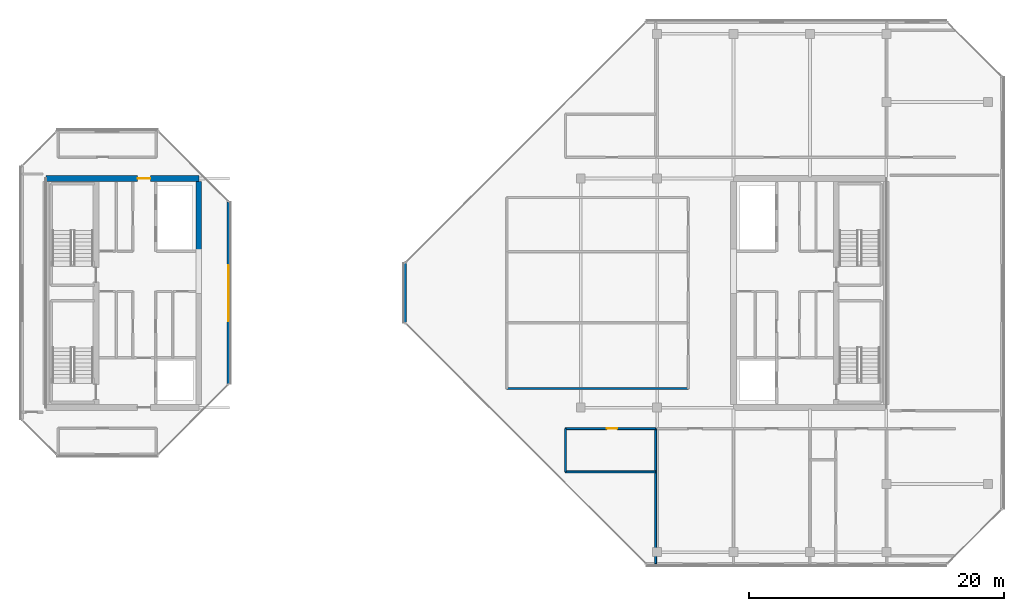
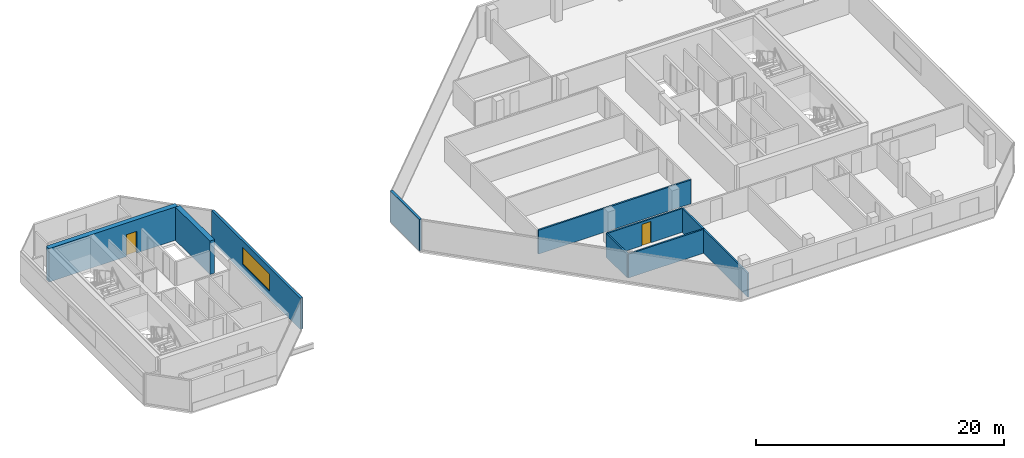
# One storey, part 22 of 29: 9 walls, 2 doors, 1 window, 3 openings.
"""IFC4 building model written with IfcOpenShell, lengths in metres."""

from ifc_helpers import new_model, si_unit, direction, frame, frame_2d, origin, place, context, subcontext, project, spatial, rectangle, extrude, material, layer, layer_set, type_object, element, fill, save


model = new_model("IFC4")

# Units and contexts
model_context = context("Model", 3, precision=1e-05, world=origin(), true_north=direction((0.0, 1.0)))
body_context = subcontext(model_context, "Body", "Model", "MODEL_VIEW")
ifc_project = project(units=[si_unit("LENGTHUNIT", "METRE"), si_unit("AREAUNIT", "SQUARE_METRE"), si_unit("VOLUMEUNIT", "CUBIC_METRE"), si_unit("PLANEANGLEUNIT", "RADIAN"), si_unit("MASSUNIT", "GRAM", prefix="KILO")], contexts=[model_context])

# Site, building, storey
site_placement = place(None, origin())
site = spatial("IfcSite", under=ifc_project, at=site_placement, CompositionType="ELEMENT")
building_placement = place(site_placement, origin())
building = spatial("IfcBuilding", under=site, at=building_placement, Name="Tanjung Sevakor Pilgrim Tower", CompositionType="ELEMENT")
storey_placement = place(building_placement, frame((0.0, 0.0, 235.949951171875)))
storey = spatial("IfcBuildingStorey", under=building, at=storey_placement, Name="L66", CompositionType="ELEMENT", Elevation=235.949951171875)

# Wall, opening, door
ifc_material_1 = material(Name="Concrete C60/75", Category="concrete")
ifc_layer_1 = layer(ifc_material_1, 0.449951171875)
ifc_layer_set_1 = layer_set([ifc_layer_1], Name="WALL-CW-450")
wall_type_1 = type_object("IfcWallType", Name="WALL-CW-450", PredefinedType="SHEAR", material=ifc_layer_set_1)
wall_1_placement = place(storey_placement, frame((36.0, 42.60009765625, 0.0), z_axis=(0.0, 0.0, 1.0), x_axis=(-1.0, 0.0, 0.0)))
wall_1 = element("IfcWall", 1, at=wall_1_placement, inside=storey, type_object=wall_type_1, Name="L66 W Core North Shear Wall", PredefinedType="SHEAR", context=body_context, shape_type="SweptSolid", body=[
    extrude(rectangle(XDim=12.0, YDim=0.449951171875, at=frame_2d((6.0, 0.0))), origin(), (0.0, 0.0, 1.0), 3.300048828125),
])
opening_1_placement = place(wall_1_placement, frame((3.800048828125, 0.0, 0.0)))
opening_1 = element("IfcOpeningElement", 2, at=opening_1_placement, cuts=wall_1, Name="Opening ID-FD1", PredefinedType="OPENING", context=body_context, shape_type="SweptSolid", body=[
    extrude(rectangle(XDim=1.0, YDim=2.14990234375, at=frame_2d((0.5, 1.074951171875))), frame((0.0, 0.23486328125, 0.0), z_axis=(0.0, -1.0, 0.0), x_axis=(1.0, 0.0, 0.0)), (0.0, 0.0, 1.0), 0.469970703125),
])
ifc_material_2 = material(Name="Fire-Rated Steel S355J2", Category="steel")
door_type_1 = type_object("IfcDoorType", Name="DT-FIRE-1000", OperationType="NOTDEFINED", PredefinedType="DOOR", material=ifc_material_2)
door_1_placement = place(opening_1_placement, origin())
door_1 = element("IfcDoor", 3, at=door_1_placement, inside=storey, type_object=door_type_1, Name="L66 West Core North Vestibule Fire Door", OperationType="SINGLE_SWING_RIGHT", OverallHeight=2.14990234375, OverallWidth=1.0, PredefinedType="DOOR", context=body_context, shape_type="SweptSolid", body=[
    extrude(rectangle(XDim=1.0, YDim=2.14990234375, at=frame_2d((0.5, 1.074951171875))), frame((0.0, 0.02490234375, 0.0), z_axis=(0.0, -1.0, 0.0), x_axis=(1.0, 0.0, 0.0)), (0.0, 0.0, 1.0), 0.050048828125),
])
fill(opening_1, door_1)

# Walls
wall_2_placement = place(storey_placement, frame((36.0, 36.800048828125, 0.0), z_axis=(0.0, 0.0, 1.0), x_axis=(0.0, 1.0, 0.0)))
element("IfcWall", 4, at=wall_2_placement, inside=storey, type_object=wall_type_1, Name="L66 W Core Inner Shear Wall North", PredefinedType="SHEAR", context=body_context, shape_type="SweptSolid", body=[
    extrude(rectangle(XDim=5.574951171875, YDim=0.449951171875, at=frame_2d((2.78759765625, 0.0))), origin(), (0.0, 0.0, 1.0), 3.300048828125),
])
ifc_material_3 = material(Name="Concrete C40/50", Category="concrete")
ifc_layer_2 = layer(ifc_material_3, 0.14990234375)
ifc_layer_set_2 = layer_set([ifc_layer_2], Name="WT-COMP-150")
wall_type_2 = type_object("IfcWallType", Name="WT-COMP-150", PredefinedType="SOLIDWALL", material=ifc_layer_set_2)
wall_3_placement = place(storey_placement, frame((64.800048828125, 19.550048828125, 0.0), z_axis=(0.0, 0.0, 1.0), x_axis=(1.0, 0.0, 0.0)))
element("IfcWall", 5, at=wall_3_placement, inside=storey, type_object=wall_type_2, Name="L66 Partition IW-L66-041", PredefinedType="SOLIDWALL", context=body_context, shape_type="SweptSolid", body=[
    extrude(rectangle(XDim=7.079833984375, YDim=0.14990234375, at=frame_2d((3.5400390625, 0.0))), origin(), (0.0, 0.0, 1.0), 2.35009765625),
])

# Wall, opening, door
wall_4_placement = place(storey_placement, frame((64.800048828125, 22.949951171875, 0.0), z_axis=(0.0, 0.0, 1.0), x_axis=(1.0, 0.0, 0.0)))
wall_4 = element("IfcWall", 6, at=wall_4_placement, inside=storey, type_object=wall_type_2, Name="L66 Partition IW-L66-042", PredefinedType="SOLIDWALL", context=body_context, shape_type="SweptSolid", body=[
    extrude(rectangle(XDim=7.079833984375, YDim=0.14990234375, at=frame_2d((3.5400390625, 0.0))), origin(), (0.0, 0.0, 1.0), 2.35009765625),
])
opening_2_placement = place(wall_4_placement, frame((3.22509765625, 0.0, 0.0)))
opening_2 = element("IfcOpeningElement", 7, at=opening_2_placement, cuts=wall_4, Name="Opening ID-WC1", PredefinedType="OPENING", context=body_context, shape_type="SweptSolid", body=[
    extrude(rectangle(XDim=0.85009765625, YDim=2.10009765625, at=frame_2d((0.425048828125, 1.050048828125))), frame((0.0, 0.0849609375, 0.0), z_axis=(0.0, -1.0, 0.0), x_axis=(1.0, 0.0, 0.0)), (0.0, 0.0, 1.0), 0.169921875),
])
ifc_material_4 = material(Name="Moisture-Resistant Timber", Category="wood")
door_type_2 = type_object("IfcDoorType", Name="DT-INT-850", OperationType="NOTDEFINED", PredefinedType="DOOR", material=ifc_material_4)
door_2_placement = place(opening_2_placement, origin())
door_2 = element("IfcDoor", 8, at=door_2_placement, inside=storey, type_object=door_type_2, Name="L66 SW Crown Suite Door", OperationType="SINGLE_SWING_LEFT", OverallHeight=2.10009765625, OverallWidth=0.85009765625, PredefinedType="DOOR", context=body_context, shape_type="SweptSolid", body=[
    extrude(rectangle(XDim=0.85009765625, YDim=2.10009765625, at=frame_2d((0.425048828125, 1.050048828125))), frame((0.0, 0.02490234375, 0.0), z_axis=(0.0, -1.0, 0.0), x_axis=(1.0, 0.0, 0.0)), (0.0, 0.0, 1.0), 0.050048828125),
])
fill(opening_2, door_2)

# Walls
wall_5_placement = place(storey_placement, frame((64.800048828125, 19.550048828125, 0.0), z_axis=(0.0, 0.0, 1.0), x_axis=(0.0, 1.0, 0.0)))
element("IfcWall", 9, at=wall_5_placement, inside=storey, type_object=wall_type_2, Name="L66 Partition IW-L66-043", PredefinedType="SOLIDWALL", context=body_context, shape_type="SweptSolid", body=[
    extrude(rectangle(XDim=3.39990234375, YDim=0.14990234375, at=frame_2d((1.699951171875, 0.0))), origin(), (0.0, 0.0, 1.0), 2.35009765625),
])
wall_6_placement = place(storey_placement, frame((71.8798828125, 12.340087890625, 0.0), z_axis=(0.0, 0.0, 1.0), x_axis=(0.0, 1.0, 0.0)))
element("IfcWall", 10, at=wall_6_placement, inside=storey, type_object=wall_type_2, Name="L66 Partition IW-L66-044", PredefinedType="SOLIDWALL", context=body_context, shape_type="SweptSolid", body=[
    extrude(rectangle(XDim=10.60986328125, YDim=0.14990234375, at=frame_2d((5.304931640625, 0.0))), origin(), (0.0, 0.0, 1.0), 2.35009765625),
])
wall_7_placement = place(storey_placement, frame((60.199951171875, 26.10009765625, 0.0), z_axis=(0.0, 0.0, 1.0), x_axis=(1.0, 0.0, 0.0)))
element("IfcWall", 11, at=wall_7_placement, inside=storey, type_object=wall_type_2, Name="L66 Partition IW-L66-065", PredefinedType="SOLIDWALL", context=body_context, shape_type="SweptSolid", body=[
    extrude(rectangle(XDim=14.25, YDim=0.14990234375, at=frame_2d((7.125, 0.0))), origin(), (0.0, 0.0, 1.0), 2.35009765625),
])

# Wall, opening, window
ifc_material_5 = material(Name="Precast concrete C45/55", Category="concrete")
ifc_layer_3 = layer(ifc_material_5, 0.219970703125)
ifc_layer_set_3 = layer_set([ifc_layer_3], Name="WT-EW-STN4")
wall_type_3 = type_object("IfcWallType", Name="WT-EW-STN4", PredefinedType="SOLIDWALL", material=ifc_layer_set_3)
wall_8_placement = place(storey_placement, frame((38.340087890625, 26.445556640625, 0.0), z_axis=(0.0, 0.0, 1.0), x_axis=(0.0, 1.0, 0.0)))
wall_8 = element("IfcWall", 12, at=wall_8_placement, inside=storey, type_object=wall_type_3, Name="L66 WEST Exterior Wall 3", PredefinedType="SOLIDWALL", context=body_context, shape_type="SweptSolid", body=[
    extrude(rectangle(XDim=14.308837890625, YDim=0.219970703125, at=frame_2d((7.154296875, 0.0))), origin(), (0.0, 0.0, 1.0), 3.080078125),
])
opening_3_placement = place(wall_8_placement, frame((4.954345703125, 0.0, 0.780029296875)))
opening_3 = element("IfcOpeningElement", 13, at=opening_3_placement, cuts=wall_8, Name="Opening WN-ENDW-1660", PredefinedType="OPENING", context=body_context, shape_type="SweptSolid", body=[
    extrude(rectangle(XDim=4.39990234375, YDim=1.659912109375, at=frame_2d((2.199951171875, 0.830078125))), frame((0.0, 0.119873046875, 0.0), z_axis=(0.0, -1.0, 0.0), x_axis=(1.0, 0.0, 0.0)), (0.0, 0.0, 1.0), 0.239990234375),
])
ifc_material_6 = material(Name="Thermally Broken Aluminium and Low-E Glass", Category="aluminium")
window_type = type_object("IfcWindowType", Name="WTYP-WN-ENDW-1660", PartitioningType="DOUBLE_PANEL_VERTICAL", PredefinedType="WINDOW", material=ifc_material_6)
window_placement = place(opening_3_placement, origin())
window = element("IfcWindow", 14, at=window_placement, inside=storey, type_object=window_type, Name="L66 Facade Window 01", OverallHeight=1.659912109375, OverallWidth=4.39990234375, PartitioningType="SINGLE_PANEL", PredefinedType="WINDOW", context=body_context, shape_type="SweptSolid", body=[
    extrude(rectangle(XDim=4.39990234375, YDim=1.659912109375, at=frame_2d((2.199951171875, 0.830078125))), frame((0.0, 0.030029296875, 0.0), z_axis=(0.0, -1.0, 0.0), x_axis=(1.0, 0.0, 0.0)), (0.0, 0.0, 1.0), 0.06005859375),
])
fill(opening_3, window)

# Wall
wall_9_placement = place(storey_placement, frame((52.2099609375, 35.954345703125, 0.0), z_axis=(0.0, 0.0, 1.0), x_axis=(0.0, -1.0, 0.0)))
element("IfcWall", 15, at=wall_9_placement, inside=storey, type_object=wall_type_3, Name="L66 EAST Exterior Wall 7", PredefinedType="SOLIDWALL", context=body_context, shape_type="SweptSolid", body=[
    extrude(rectangle(XDim=4.708740234375, YDim=0.219970703125, at=frame_2d((2.3544921875, 0.0))), origin(), (0.0, 0.0, 1.0), 3.080078125),
])

save(model, "model.ifc")
